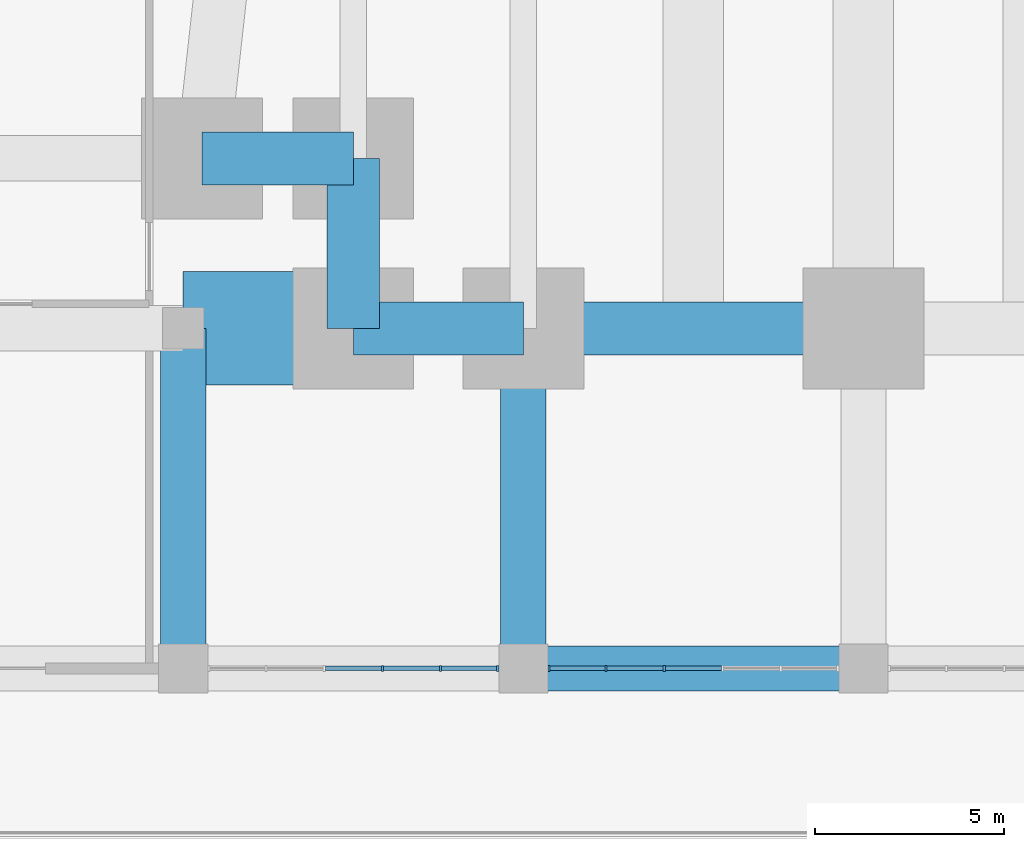
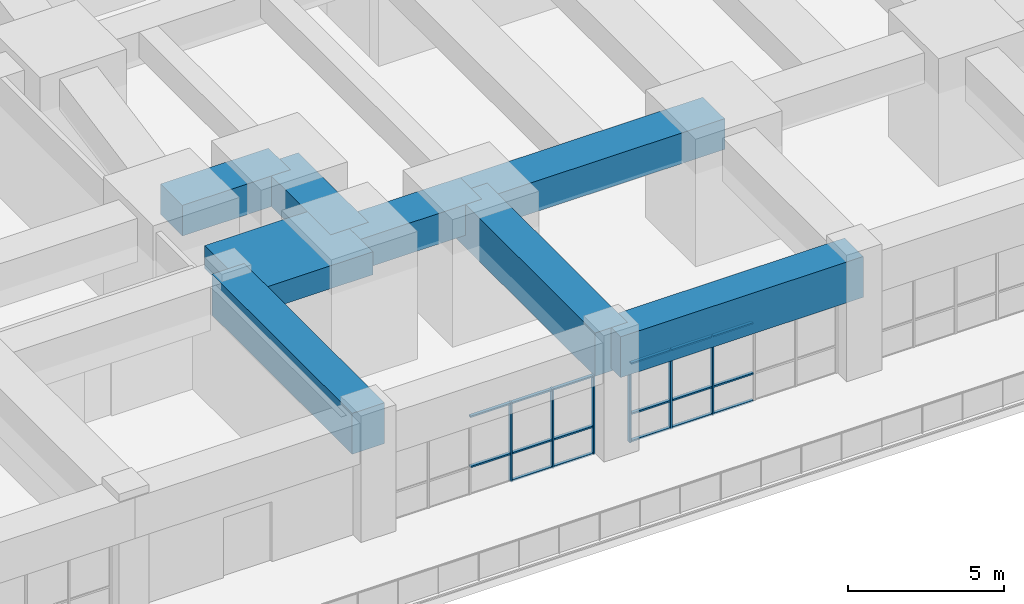
# One storey, part 3 of 27: 23 members, 8 beams, 2 elements without a shape of their own.
"""IFC4 building model written with IfcOpenShell, lengths in metres."""

from ifc_helpers import new_model, si_unit, direction, frame, origin, origin_2d, place, context, subcontext, project, spatial, rectangle, extrude, material, material_profile, profile_set, type_object, element, aggregate, save


model = new_model("IFC4")

# Units and contexts
model_context = context("Model", 3, precision=1e-05, world=origin(), true_north=direction((0.0, 1.0)))
body_context = subcontext(model_context, "Body", "Model", "MODEL_VIEW")
ifc_project = project(units=[si_unit("LENGTHUNIT", "METRE"), si_unit("AREAUNIT", "SQUARE_METRE"), si_unit("VOLUMEUNIT", "CUBIC_METRE"), si_unit("PLANEANGLEUNIT", "RADIAN"), si_unit("MASSUNIT", "GRAM", prefix="KILO")], contexts=[model_context])

# Site, building, storey
site_placement = place(None, origin())
site = spatial("IfcSite", under=ifc_project, at=site_placement, CompositionType="ELEMENT")
building_placement = place(site_placement, origin())
building = spatial("IfcBuilding", under=site, at=building_placement, Name="Kilele Tower Hotel", CompositionType="ELEMENT")
storey_placement = place(building_placement, frame((0.0, 0.0, 6.0)))
storey = spatial("IfcBuildingStorey", under=building, at=storey_placement, Name="L01", CompositionType="ELEMENT", Elevation=6.0)

# Beams
ifc_material_1 = material(Name="Concrete C60/75", Category="concrete")
ifc_material_profile_1 = material_profile(ifc_material_1, rectangle(XDim=1.199951171875, YDim=1.60009765625, at=origin_2d()))
ifc_profile_set_1 = profile_set([ifc_material_profile_1], Name="Concrete C60/75")
beam_type_1 = type_object("IfcBeamType", Name="Beam RC 1200x1600 C60/75", PredefinedType="BEAM", material=ifc_profile_set_1)
for number, where, z_axis, x_axis, name in (
    (1, (0.0, -9.0, 3.89990234375), (0.0, 1.0, 0.0), (-1.0, 0.0, 0.0), "Beam PB2 level L02"),
    (2, (9.0, -9.0, 3.89990234375), (1.0, 0.0, 0.0), (0.0, 1.0, 0.0), "Beam PB2 level L02"),
):
    element("IfcBeam", number, at=place(storey_placement, frame(where, z_axis=z_axis, x_axis=x_axis)), inside=storey, type_object=beam_type_1, Name=name, PredefinedType="BEAM", context=body_context, shape_type="SweptSolid", body=[
        extrude(rectangle(XDim=1.199951171875, YDim=1.60009765625, at=origin_2d()), origin(), (0.0, 0.0, 1.0), 9.0),
    ])
ifc_material_2 = material(Name="Concrete C60/75", Category="concrete")
ifc_material_profile_2 = material_profile(ifc_material_2, rectangle(XDim=3.0, YDim=0.89990234375, at=origin_2d()))
ifc_profile_set_2 = profile_set([ifc_material_profile_2], Name="Concrete C60/75")
beam_type_2 = type_object("IfcBeamType", Name="Beam RC 3000x900 C60/75", PredefinedType="BEAM", material=ifc_profile_set_2)
beam_1_placement = place(storey_placement, frame((0.0, 0.0, 4.25), z_axis=(1.0, 0.0, 0.0), x_axis=(0.0, 1.0, 0.0)))
element("IfcBeam", 3, at=beam_1_placement, inside=storey, type_object=beam_type_2, Name="Beam PB1 level L02", PredefinedType="BEAM", context=body_context, shape_type="SweptSolid", body=[
    extrude(rectangle(XDim=3.0, YDim=0.89990234375, at=origin_2d()), origin(), (0.0, 0.0, 1.0), 4.5),
])

# Curtain wall, members
ifc_material_3 = material(Name="Aluminium curtain wall, clear double glazing", Category="aluminium")
curtain_wall_type = type_object("IfcCurtainWallType", Name="Podium curtain wall CW-1", PredefinedType="NOTDEFINED", material=ifc_material_3)
curtain_wall_1_placement = place(storey_placement, origin())
curtain_wall_1 = element("IfcCurtainWall", 4, at=curtain_wall_1_placement, inside=storey, type_object=curtain_wall_type, Name="Podium curtain wall CW-1 L01", PredefinedType="NOTDEFINED")
ifc_material_4 = material(Name="Aluminium EN AW-6063 T6", Category="aluminium")
ifc_material_profile_3 = material_profile(ifc_material_4, rectangle(XDim=0.159912109375, YDim=0.06005859375, at=origin_2d()))
ifc_profile_set_3 = profile_set([ifc_material_profile_3], Name="Aluminium EN AW-6063 T6")
member_type_1 = type_object("IfcMemberType", Name="Mullion 60x160 CW-1", PredefinedType="MULLION", material=ifc_profile_set_3)
member_1_placement = place(storey_placement, frame((5.27001953125, -9.0, 0.0), z_axis=(0.0, 0.0, 1.0), x_axis=(0.0, 1.0, 0.0)))
member_1 = element("IfcMember", 5, at=member_1_placement, type_object=member_type_1, Name="CW-1 mullion 4", PredefinedType="MULLION", context=body_context, shape_type="SweptSolid", body=[
    extrude(rectangle(XDim=0.159912109375, YDim=0.06005859375, at=origin_2d()), origin(), (0.0, 0.0, 1.0), 3.10009765625),
])
member_2_placement = place(storey_placement, frame((6.81005859375, -9.0, 0.0), z_axis=(0.0, 0.0, 1.0), x_axis=(0.0, 1.0, 0.0)))
member_2 = element("IfcMember", 6, at=member_2_placement, type_object=member_type_1, Name="CW-1 mullion 5", PredefinedType="MULLION", context=body_context, shape_type="SweptSolid", body=[
    extrude(rectangle(XDim=0.159912109375, YDim=0.06005859375, at=origin_2d()), origin(), (0.0, 0.0, 1.0), 3.10009765625),
])
member_3_placement = place(storey_placement, frame((8.320068359375, -9.0, 0.0), z_axis=(0.0, 0.0, 1.0), x_axis=(0.0, 1.0, 0.0)))
member_3 = element("IfcMember", 7, at=member_3_placement, type_object=member_type_1, Name="CW-1 mullion 6", PredefinedType="MULLION", context=body_context, shape_type="SweptSolid", body=[
    extrude(rectangle(XDim=0.159912109375, YDim=0.06005859375, at=origin_2d()), origin(), (0.0, 0.0, 1.0), 3.10009765625),
])

curtain_wall_2_placement = place(storey_placement, origin())
curtain_wall_2 = element("IfcCurtainWall", 8, at=curtain_wall_2_placement, inside=storey, type_object=curtain_wall_type, Name="Podium curtain wall CW-1 L01", PredefinedType="NOTDEFINED")
member_4_placement = place(storey_placement, frame((9.679931640625, -9.0, 0.0), z_axis=(0.0, 0.0, 1.0), x_axis=(0.0, 1.0, 0.0)))
member_4 = element("IfcMember", 9, at=member_4_placement, type_object=member_type_1, Name="CW-1 mullion 1", PredefinedType="MULLION", context=body_context, shape_type="SweptSolid", body=[
    extrude(rectangle(XDim=0.159912109375, YDim=0.06005859375, at=origin_2d()), origin(), (0.0, 0.0, 1.0), 3.10009765625),
])
member_5_placement = place(storey_placement, frame((11.18994140625, -9.0, 0.0), z_axis=(0.0, 0.0, 1.0), x_axis=(0.0, 1.0, 0.0)))
member_5 = element("IfcMember", 10, at=member_5_placement, type_object=member_type_1, Name="CW-1 mullion 2", PredefinedType="MULLION", context=body_context, shape_type="SweptSolid", body=[
    extrude(rectangle(XDim=0.159912109375, YDim=0.06005859375, at=origin_2d()), origin(), (0.0, 0.0, 1.0), 3.10009765625),
])
member_6_placement = place(storey_placement, frame((12.72998046875, -9.0, 0.0), z_axis=(0.0, 0.0, 1.0), x_axis=(0.0, 1.0, 0.0)))
member_6 = element("IfcMember", 11, at=member_6_placement, type_object=member_type_1, Name="CW-1 mullion 3", PredefinedType="MULLION", context=body_context, shape_type="SweptSolid", body=[
    extrude(rectangle(XDim=0.159912109375, YDim=0.06005859375, at=origin_2d()), origin(), (0.0, 0.0, 1.0), 3.10009765625),
])

# Beams
ifc_material_5 = material(Name="Concrete C60/75", Category="concrete")
ifc_material_profile_4 = material_profile(ifc_material_5, rectangle(XDim=1.39990234375, YDim=1.199951171875, at=origin_2d()))
ifc_profile_set_4 = profile_set([ifc_material_profile_4], Name="Concrete C60/75")
beam_type_3 = type_object("IfcBeamType", Name="Spandrel RC 1400x1200 C60/75", PredefinedType="SPANDREL", material=ifc_profile_set_4)
beam_2_placement = place(storey_placement, frame((0.5, 4.5, 4.10009765625), z_axis=(1.0, 0.0, 0.0), x_axis=(0.0, 1.0, 0.0)))
element("IfcBeam", 12, at=beam_2_placement, inside=storey, type_object=beam_type_3, Name="Spandrel SP10 level L02", PredefinedType="SPANDREL", context=body_context, shape_type="SweptSolid", body=[
    extrude(rectangle(XDim=1.39990234375, YDim=1.199951171875, at=origin_2d()), origin(), (0.0, 0.0, 1.0), 4.0),
])
for number, where, z_axis, x_axis, name in (
    (13, (4.5, 4.5, 4.10009765625), (0.0, -1.0, 0.0), (1.0, 0.0, 0.0), "Spandrel SP10 level L02"),
    (14, (4.5, 0.0, 4.10009765625), (1.0, 0.0, 0.0), (0.0, 1.0, 0.0), "Spandrel SP10 level L02"),
):
    element("IfcBeam", number, at=place(storey_placement, frame(where, z_axis=z_axis, x_axis=x_axis)), inside=storey, type_object=beam_type_3, Name=name, PredefinedType="SPANDREL", context=body_context, shape_type="SweptSolid", body=[
        extrude(rectangle(XDim=1.39990234375, YDim=1.199951171875, at=origin_2d()), origin(), (0.0, 0.0, 1.0), 4.5),
    ])
beam_3_placement = place(storey_placement, frame((9.0, 0.0, 4.10009765625), z_axis=(1.0, 0.0, 0.0), x_axis=(0.0, 1.0, 0.0)))
element("IfcBeam", 15, at=beam_3_placement, inside=storey, type_object=beam_type_3, Name="Spandrel SP10 level L02", PredefinedType="SPANDREL", context=body_context, shape_type="SweptSolid", body=[
    extrude(rectangle(XDim=1.39990234375, YDim=1.199951171875, at=origin_2d()), origin(), (0.0, 0.0, 1.0), 9.0),
])
ifc_material_6 = material(Name="Concrete C60/75", Category="concrete")
ifc_material_profile_5 = material_profile(ifc_material_6, rectangle(XDim=1.199951171875, YDim=1.699951171875, at=origin_2d()))
ifc_profile_set_5 = profile_set([ifc_material_profile_5], Name="Concrete C60/75")
beam_type_4 = type_object("IfcBeamType", Name="Transfer girder RC 1200x1700 C60/75", PredefinedType="USERDEFINED", material=ifc_profile_set_5)
beam_4_placement = place(storey_placement, frame((9.0, -9.0, 3.85009765625), z_axis=(0.0, 1.0, 0.0), x_axis=(-1.0, 0.0, 0.0)))
element("IfcBeam", 16, at=beam_4_placement, inside=storey, type_object=beam_type_4, Name="Transfer girder TG1 level L02", ObjectType="TRANSFER GIRDER", PredefinedType="USERDEFINED", context=body_context, shape_type="SweptSolid", body=[
    extrude(rectangle(XDim=1.199951171875, YDim=1.699951171875, at=origin_2d()), origin(), (0.0, 0.0, 1.0), 9.0),
])

# Member
ifc_material_7 = material(Name="Aluminium EN AW-6063 T6", Category="aluminium")
ifc_material_profile_6 = material_profile(ifc_material_7, rectangle(XDim=0.1201171875, YDim=0.06005859375, at=origin_2d()))
ifc_profile_set_6 = profile_set([ifc_material_profile_6], Name="Aluminium EN AW-6063 T6")
member_type_2 = type_object("IfcMemberType", Name="Transom 60x120 CW-1", PredefinedType="USERDEFINED", material=ifc_profile_set_6)
member_7_placement = place(storey_placement, frame((3.760009765625, -9.0, 1.10009765625), z_axis=(1.0, 0.0, 0.0), x_axis=(0.0, 1.0, 0.0)))
member_7 = element("IfcMember", 17, at=member_7_placement, type_object=member_type_2, Name="CW-1 transom 3.2", ObjectType="TRANSOM", PredefinedType="USERDEFINED", context=body_context, shape_type="SweptSolid", body=[
    extrude(rectangle(XDim=0.1201171875, YDim=0.06005859375, at=origin_2d()), origin(), (0.0, 0.0, 1.0), 1.47998046875),
])

member_8_placement = place(storey_placement, frame((3.760009765625, -9.0, 3.070068359375), z_axis=(1.0, 0.0, 0.0), x_axis=(0.0, 1.0, 0.0)))
member_8 = element("IfcMember", 18, at=member_8_placement, type_object=member_type_2, Name="CW-1 transom 3.3", ObjectType="TRANSOM", PredefinedType="USERDEFINED", context=body_context, shape_type="SweptSolid", body=[
    extrude(rectangle(XDim=0.1201171875, YDim=0.06005859375, at=origin_2d()), origin(), (0.0, 0.0, 1.0), 1.47998046875),
])

member_9_placement = place(storey_placement, frame((5.300048828125, -9.0, 0.030029296875), z_axis=(1.0, 0.0, 0.0), x_axis=(0.0, 1.0, 0.0)))
member_9 = element("IfcMember", 19, at=member_9_placement, type_object=member_type_2, Name="CW-1 transom 4.1", ObjectType="TRANSOM", PredefinedType="USERDEFINED", context=body_context, shape_type="SweptSolid", body=[
    extrude(rectangle(XDim=0.1201171875, YDim=0.06005859375, at=origin_2d()), origin(), (0.0, 0.0, 1.0), 1.47998046875),
])

member_10_placement = place(storey_placement, frame((5.300048828125, -9.0, 1.10009765625), z_axis=(1.0, 0.0, 0.0), x_axis=(0.0, 1.0, 0.0)))
member_10 = element("IfcMember", 20, at=member_10_placement, type_object=member_type_2, Name="CW-1 transom 4.2", ObjectType="TRANSOM", PredefinedType="USERDEFINED", context=body_context, shape_type="SweptSolid", body=[
    extrude(rectangle(XDim=0.1201171875, YDim=0.06005859375, at=origin_2d()), origin(), (0.0, 0.0, 1.0), 1.47998046875),
])

member_11_placement = place(storey_placement, frame((5.300048828125, -9.0, 3.070068359375), z_axis=(1.0, 0.0, 0.0), x_axis=(0.0, 1.0, 0.0)))
member_11 = element("IfcMember", 21, at=member_11_placement, type_object=member_type_2, Name="CW-1 transom 4.3", ObjectType="TRANSOM", PredefinedType="USERDEFINED", context=body_context, shape_type="SweptSolid", body=[
    extrude(rectangle(XDim=0.1201171875, YDim=0.06005859375, at=origin_2d()), origin(), (0.0, 0.0, 1.0), 1.47998046875),
])

member_12_placement = place(storey_placement, frame((6.840087890625, -9.0, 0.030029296875), z_axis=(1.0, 0.0, 0.0), x_axis=(0.0, 1.0, 0.0)))
member_12 = element("IfcMember", 22, at=member_12_placement, type_object=member_type_2, Name="CW-1 transom 5.1", ObjectType="TRANSOM", PredefinedType="USERDEFINED", context=body_context, shape_type="SweptSolid", body=[
    extrude(rectangle(XDim=0.1201171875, YDim=0.06005859375, at=origin_2d()), origin(), (0.0, 0.0, 1.0), 1.449951171875),
])

member_13_placement = place(storey_placement, frame((6.840087890625, -9.0, 1.10009765625), z_axis=(1.0, 0.0, 0.0), x_axis=(0.0, 1.0, 0.0)))
member_13 = element("IfcMember", 23, at=member_13_placement, type_object=member_type_2, Name="CW-1 transom 5.2", ObjectType="TRANSOM", PredefinedType="USERDEFINED", context=body_context, shape_type="SweptSolid", body=[
    extrude(rectangle(XDim=0.1201171875, YDim=0.06005859375, at=origin_2d()), origin(), (0.0, 0.0, 1.0), 1.449951171875),
])

member_14_placement = place(storey_placement, frame((6.840087890625, -9.0, 3.070068359375), z_axis=(1.0, 0.0, 0.0), x_axis=(0.0, 1.0, 0.0)))
member_14 = element("IfcMember", 24, at=member_14_placement, type_object=member_type_2, Name="CW-1 transom 5.3", ObjectType="TRANSOM", PredefinedType="USERDEFINED", context=body_context, shape_type="SweptSolid", body=[
    extrude(rectangle(XDim=0.1201171875, YDim=0.06005859375, at=origin_2d()), origin(), (0.0, 0.0, 1.0), 1.449951171875),
])

aggregate(curtain_wall_1, [member_1, member_2, member_3, member_7, member_8, member_9, member_10, member_11, member_12, member_13, member_14])

member_15_placement = place(storey_placement, frame((9.7099609375, -9.0, 0.030029296875), z_axis=(1.0, 0.0, 0.0), x_axis=(0.0, 1.0, 0.0)))
member_15 = element("IfcMember", 25, at=member_15_placement, type_object=member_type_2, Name="CW-1 transom 1.1", ObjectType="TRANSOM", PredefinedType="USERDEFINED", context=body_context, shape_type="SweptSolid", body=[
    extrude(rectangle(XDim=0.1201171875, YDim=0.06005859375, at=origin_2d()), origin(), (0.0, 0.0, 1.0), 1.449951171875),
])

member_16_placement = place(storey_placement, frame((9.7099609375, -9.0, 1.10009765625), z_axis=(1.0, 0.0, 0.0), x_axis=(0.0, 1.0, 0.0)))
member_16 = element("IfcMember", 26, at=member_16_placement, type_object=member_type_2, Name="CW-1 transom 1.2", ObjectType="TRANSOM", PredefinedType="USERDEFINED", context=body_context, shape_type="SweptSolid", body=[
    extrude(rectangle(XDim=0.1201171875, YDim=0.06005859375, at=origin_2d()), origin(), (0.0, 0.0, 1.0), 1.449951171875),
])

member_17_placement = place(storey_placement, frame((9.7099609375, -9.0, 3.070068359375), z_axis=(1.0, 0.0, 0.0), x_axis=(0.0, 1.0, 0.0)))
member_17 = element("IfcMember", 27, at=member_17_placement, type_object=member_type_2, Name="CW-1 transom 1.3", ObjectType="TRANSOM", PredefinedType="USERDEFINED", context=body_context, shape_type="SweptSolid", body=[
    extrude(rectangle(XDim=0.1201171875, YDim=0.06005859375, at=origin_2d()), origin(), (0.0, 0.0, 1.0), 1.449951171875),
])

member_18_placement = place(storey_placement, frame((11.219970703125, -9.0, 0.030029296875), z_axis=(1.0, 0.0, 0.0), x_axis=(0.0, 1.0, 0.0)))
member_18 = element("IfcMember", 28, at=member_18_placement, type_object=member_type_2, Name="CW-1 transom 2.1", ObjectType="TRANSOM", PredefinedType="USERDEFINED", context=body_context, shape_type="SweptSolid", body=[
    extrude(rectangle(XDim=0.1201171875, YDim=0.06005859375, at=origin_2d()), origin(), (0.0, 0.0, 1.0), 1.47998046875),
])

member_19_placement = place(storey_placement, frame((11.219970703125, -9.0, 1.10009765625), z_axis=(1.0, 0.0, 0.0), x_axis=(0.0, 1.0, 0.0)))
member_19 = element("IfcMember", 29, at=member_19_placement, type_object=member_type_2, Name="CW-1 transom 2.2", ObjectType="TRANSOM", PredefinedType="USERDEFINED", context=body_context, shape_type="SweptSolid", body=[
    extrude(rectangle(XDim=0.1201171875, YDim=0.06005859375, at=origin_2d()), origin(), (0.0, 0.0, 1.0), 1.47998046875),
])

member_20_placement = place(storey_placement, frame((11.219970703125, -9.0, 3.070068359375), z_axis=(1.0, 0.0, 0.0), x_axis=(0.0, 1.0, 0.0)))
member_20 = element("IfcMember", 30, at=member_20_placement, type_object=member_type_2, Name="CW-1 transom 2.3", ObjectType="TRANSOM", PredefinedType="USERDEFINED", context=body_context, shape_type="SweptSolid", body=[
    extrude(rectangle(XDim=0.1201171875, YDim=0.06005859375, at=origin_2d()), origin(), (0.0, 0.0, 1.0), 1.47998046875),
])

member_21_placement = place(storey_placement, frame((12.760009765625, -9.0, 0.030029296875), z_axis=(1.0, 0.0, 0.0), x_axis=(0.0, 1.0, 0.0)))
member_21 = element("IfcMember", 31, at=member_21_placement, type_object=member_type_2, Name="CW-1 transom 3.1", ObjectType="TRANSOM", PredefinedType="USERDEFINED", context=body_context, shape_type="SweptSolid", body=[
    extrude(rectangle(XDim=0.1201171875, YDim=0.06005859375, at=origin_2d()), origin(), (0.0, 0.0, 1.0), 1.47998046875),
])

member_22_placement = place(storey_placement, frame((12.760009765625, -9.0, 1.10009765625), z_axis=(1.0, 0.0, 0.0), x_axis=(0.0, 1.0, 0.0)))
member_22 = element("IfcMember", 32, at=member_22_placement, type_object=member_type_2, Name="CW-1 transom 3.2", ObjectType="TRANSOM", PredefinedType="USERDEFINED", context=body_context, shape_type="SweptSolid", body=[
    extrude(rectangle(XDim=0.1201171875, YDim=0.06005859375, at=origin_2d()), origin(), (0.0, 0.0, 1.0), 1.47998046875),
])

member_23_placement = place(storey_placement, frame((12.760009765625, -9.0, 3.070068359375), z_axis=(1.0, 0.0, 0.0), x_axis=(0.0, 1.0, 0.0)))
member_23 = element("IfcMember", 33, at=member_23_placement, type_object=member_type_2, Name="CW-1 transom 3.3", ObjectType="TRANSOM", PredefinedType="USERDEFINED", context=body_context, shape_type="SweptSolid", body=[
    extrude(rectangle(XDim=0.1201171875, YDim=0.06005859375, at=origin_2d()), origin(), (0.0, 0.0, 1.0), 1.47998046875),
])

aggregate(curtain_wall_2, [member_4, member_5, member_6, member_15, member_16, member_17, member_18, member_19, member_20, member_21, member_22, member_23])

save(model, "model.ifc")
